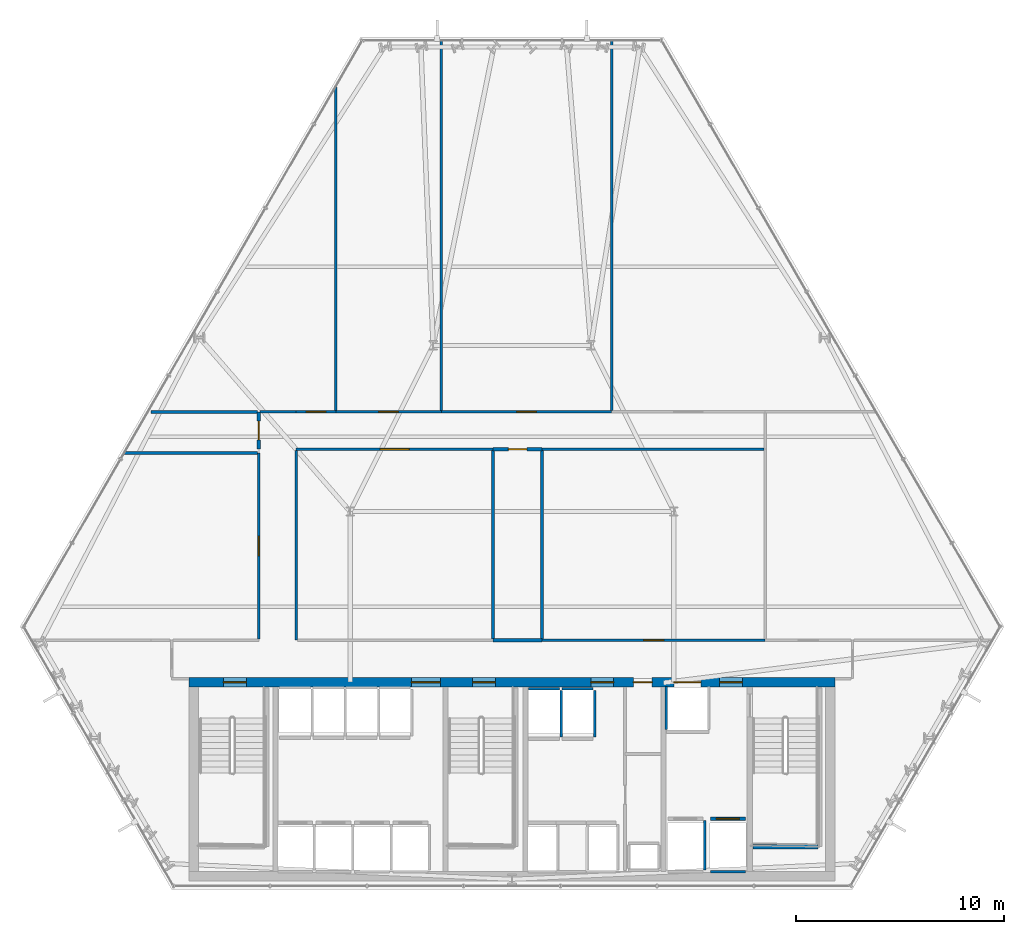
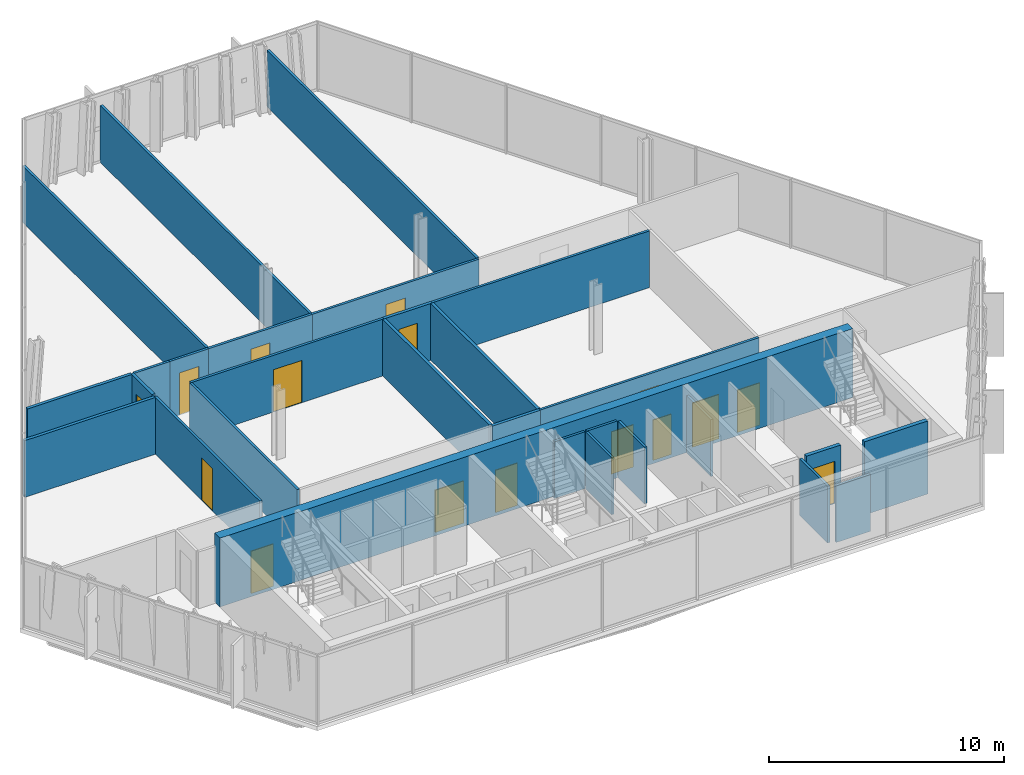
# One storey, part 28 of 33: 29 walls, 16 doors, 16 openings.
"""IFC4 building model written with IfcOpenShell, lengths in metres."""

from ifc_helpers import new_model, si_unit, direction, frame, frame_2d, origin, place, context, subcontext, project, spatial, rectangle, extrude, material, layer, layer_set, type_object, element, fill, save


model = new_model("IFC4")

# Units and contexts
model_context = context("Model", 3, precision=1e-05, world=origin(), true_north=direction((0.0, 1.0)))
body_context = subcontext(model_context, "Body", "Model", "MODEL_VIEW")
ifc_project = project(units=[si_unit("LENGTHUNIT", "METRE"), si_unit("AREAUNIT", "SQUARE_METRE"), si_unit("VOLUMEUNIT", "CUBIC_METRE"), si_unit("PLANEANGLEUNIT", "RADIAN"), si_unit("MASSUNIT", "GRAM", prefix="KILO")], contexts=[model_context])

# Site, building, storey
site_placement = place(None, origin())
site = spatial("IfcSite", under=ifc_project, at=site_placement, CompositionType="ELEMENT")
building_placement = place(site_placement, origin())
building = spatial("IfcBuilding", under=site, at=building_placement, Name="Ndaravel Arena Tower", CompositionType="ELEMENT")
storey_placement = place(building_placement, frame((0.0, 0.0, 89.199951171875)))
storey = spatial("IfcBuildingStorey", under=building, at=storey_placement, Name="L20", CompositionType="ELEMENT", Elevation=89.199951171875)

# Wall, openings, doors
ifc_material_1 = material(Name="Concrete C60/75", Category="concrete")
ifc_layer_1 = layer(ifc_material_1, 0.449951171875)
ifc_layer_set_1 = layer_set([ifc_layer_1], Name="Concrete C60/75")
wall_type_1 = type_object("IfcWallType", Name="WALL-CORE-450", PredefinedType="SOLIDWALL", material=ifc_layer_set_1)
wall_1_placement = place(storey_placement, frame((26.449951171875, 14.97509765625, 0.0), z_axis=(0.0, 0.0, 1.0), x_axis=(1.0, 0.0, 0.0)))
wall_1 = element("IfcWall", 1, at=wall_1_placement, inside=storey, type_object=wall_type_1, Name="L20 Core North Shear Wall", PredefinedType="SOLIDWALL", context=body_context, shape_type="SweptSolid", body=[
    extrude(rectangle(XDim=31.10009765625, YDim=0.449951171875, at=frame_2d((15.550048828125, 0.0))), origin(), (0.0, 0.0, 1.0), 3.580078125),
])
opening_1_placement = place(wall_1_placement, frame((1.64990234375, 0.0, 0.0)))
opening_1 = element("IfcOpeningElement", 2, at=opening_1_placement, cuts=wall_1, Name="Opening FD-01", PredefinedType="OPENING", context=body_context, shape_type="SweptSolid", body=[
    extrude(rectangle(XDim=1.10009765625, YDim=2.199951171875, at=frame_2d((0.550048828125, 1.10009765625))), frame((0.0, 0.22509765625, 0.0), z_axis=(0.0, -1.0, 0.0), x_axis=(1.0, 0.0, 0.0)), (0.0, 0.0, 1.0), 0.449951171875),
])
opening_2_placement = place(wall_1_placement, frame((13.64990234375, 0.0, 0.0)))
opening_2 = element("IfcOpeningElement", 3, at=opening_2_placement, cuts=wall_1, Name="Opening FD-01", PredefinedType="OPENING", context=body_context, shape_type="SweptSolid", body=[
    extrude(rectangle(XDim=1.10009765625, YDim=2.199951171875, at=frame_2d((0.550048828125, 1.10009765625))), frame((0.0, 0.22509765625, 0.0), z_axis=(0.0, -1.0, 0.0), x_axis=(1.0, 0.0, 0.0)), (0.0, 0.0, 1.0), 0.449951171875),
])
opening_3_placement = place(wall_1_placement, frame((25.550048828125, 0.0, 0.0)))
opening_3 = element("IfcOpeningElement", 4, at=opening_3_placement, cuts=wall_1, Name="Opening FD-01", PredefinedType="OPENING", context=body_context, shape_type="SweptSolid", body=[
    extrude(rectangle(XDim=1.10009765625, YDim=2.199951171875, at=frame_2d((0.550048828125, 1.10009765625))), frame((0.0, 0.22509765625, 0.0), z_axis=(0.0, -1.0, 0.0), x_axis=(1.0, 0.0, 0.0)), (0.0, 0.0, 1.0), 0.449951171875),
])
opening_4_placement = place(wall_1_placement, frame((10.699951171875, 0.0, 0.0)))
opening_4 = element("IfcOpeningElement", 5, at=opening_4_placement, cuts=wall_1, Name="Opening ID-02", PredefinedType="OPENING", context=body_context, shape_type="SweptSolid", body=[
    extrude(rectangle(XDim=1.39990234375, YDim=2.199951171875, at=frame_2d((0.699951171875, 1.10009765625))), frame((0.0, 0.22509765625, 0.0), z_axis=(0.0, -1.0, 0.0), x_axis=(1.0, 0.0, 0.0)), (0.0, 0.0, 1.0), 0.449951171875),
])
opening_5_placement = place(wall_1_placement, frame((19.35009765625, 0.0, 0.0)))
opening_5 = element("IfcOpeningElement", 6, at=opening_5_placement, cuts=wall_1, Name="Opening FD-01", PredefinedType="OPENING", context=body_context, shape_type="SweptSolid", body=[
    extrude(rectangle(XDim=1.10009765625, YDim=2.199951171875, at=frame_2d((0.550048828125, 1.10009765625))), frame((0.0, 0.22509765625, 0.0), z_axis=(0.0, -1.0, 0.0), x_axis=(1.0, 0.0, 0.0)), (0.0, 0.0, 1.0), 0.449951171875),
])
opening_6_placement = place(wall_1_placement, frame((21.39990234375, 0.0, 0.0)))
opening_6 = element("IfcOpeningElement", 7, at=opening_6_placement, cuts=wall_1, Name="Opening RD-01", PredefinedType="OPENING", context=body_context, shape_type="SweptSolid", body=[
    extrude(rectangle(XDim=0.89990234375, YDim=2.10009765625, at=frame_2d((0.449951171875, 1.050048828125))), frame((0.0, 0.22509765625, 0.0), z_axis=(0.0, -1.0, 0.0), x_axis=(1.0, 0.0, 0.0)), (0.0, 0.0, 1.0), 0.449951171875),
])
opening_7_placement = place(wall_1_placement, frame((23.35009765625, 0.0, 0.0)))
opening_7 = element("IfcOpeningElement", 8, at=opening_7_placement, cuts=wall_1, Name="Opening LD-02", PredefinedType="OPENING", context=body_context, shape_type="SweptSolid", body=[
    extrude(rectangle(XDim=1.300048828125, YDim=2.300048828125, at=frame_2d((0.64990234375, 1.14990234375))), frame((0.0, 0.22509765625, 0.0), z_axis=(0.0, -1.0, 0.0), x_axis=(1.0, 0.0, 0.0)), (0.0, 0.0, 1.0), 0.449951171875),
])
ifc_material_2 = material(Name="Steel S355", Category="steel")
door_type_1 = type_object("IfcDoorType", Name="DT-01-STAIR-1100", OperationType="SINGLE_SWING_LEFT", PredefinedType="DOOR", material=ifc_material_2)
door_1_placement = place(opening_1_placement, origin())
door_1 = element("IfcDoor", 9, at=door_1_placement, inside=storey, type_object=door_type_1, Name="L20 Exit Stair ST-1 Door", OperationType="SINGLE_SWING_LEFT", OverallHeight=2.199951171875, OverallWidth=1.10009765625, PredefinedType="DOOR", context=body_context, shape_type="SweptSolid", body=[
    extrude(rectangle(XDim=1.10009765625, YDim=2.199951171875, at=frame_2d((0.550048828125, 1.10009765625))), frame((0.0, 0.02490234375, 0.0), z_axis=(0.0, -1.0, 0.0), x_axis=(1.0, 0.0, 0.0)), (0.0, 0.0, 1.0), 0.050048828125),
])
fill(opening_1, door_1)
door_2_placement = place(opening_2_placement, origin())
door_2 = element("IfcDoor", 10, at=door_2_placement, inside=storey, type_object=door_type_1, Name="L20 Exit Stair ST-2 Door", OperationType="SINGLE_SWING_RIGHT", OverallHeight=2.199951171875, OverallWidth=1.10009765625, PredefinedType="DOOR", context=body_context, shape_type="SweptSolid", body=[
    extrude(rectangle(XDim=1.10009765625, YDim=2.199951171875, at=frame_2d((0.550048828125, 1.10009765625))), frame((0.0, 0.02490234375, 0.0), z_axis=(0.0, -1.0, 0.0), x_axis=(1.0, 0.0, 0.0)), (0.0, 0.0, 1.0), 0.050048828125),
])
fill(opening_2, door_2)
door_3_placement = place(opening_3_placement, origin())
door_3 = element("IfcDoor", 11, at=door_3_placement, inside=storey, type_object=door_type_1, Name="L20 Firefighting Lift Lobby Door", OperationType="SINGLE_SWING_RIGHT", OverallHeight=2.199951171875, OverallWidth=1.10009765625, PredefinedType="DOOR", context=body_context, shape_type="SweptSolid", body=[
    extrude(rectangle(XDim=1.10009765625, YDim=2.199951171875, at=frame_2d((0.550048828125, 1.10009765625))), frame((0.0, 0.02490234375, 0.0), z_axis=(0.0, -1.0, 0.0), x_axis=(1.0, 0.0, 0.0)), (0.0, 0.0, 1.0), 0.050048828125),
])
fill(opening_3, door_3)
door_4_placement = place(opening_5_placement, origin())
door_4 = element("IfcDoor", 12, at=door_4_placement, inside=storey, type_object=door_type_1, Name="L20 Express Lift Lobby Entry Door", OperationType="SINGLE_SWING_LEFT", OverallHeight=2.199951171875, OverallWidth=1.10009765625, PredefinedType="DOOR", context=body_context, shape_type="SweptSolid", body=[
    extrude(rectangle(XDim=1.10009765625, YDim=2.199951171875, at=frame_2d((0.550048828125, 1.10009765625))), frame((0.0, 0.02490234375, 0.0), z_axis=(0.0, -1.0, 0.0), x_axis=(1.0, 0.0, 0.0)), (0.0, 0.0, 1.0), 0.050048828125),
])
fill(opening_5, door_4)
ifc_material_3 = material(Name="Timber", Category="wood")
door_type_2 = type_object("IfcDoorType", Name="DT-04-SUITE-1400", OperationType="DOUBLE_DOOR_SINGLE_SWING", PredefinedType="DOOR", material=ifc_material_3)
door_5_placement = place(opening_4_placement, origin())
door_5 = element("IfcDoor", 13, at=door_5_placement, inside=storey, type_object=door_type_2, Name="L20 West Lift Lobby Entry Door", OperationType="DOUBLE_DOOR_SINGLE_SWING", OverallHeight=2.199951171875, OverallWidth=1.39990234375, PredefinedType="DOOR", context=body_context, shape_type="SweptSolid", body=[
    extrude(rectangle(XDim=1.39990234375, YDim=2.199951171875, at=frame_2d((0.699951171875, 1.10009765625))), frame((0.0, 0.02490234375, 0.0), z_axis=(0.0, -1.0, 0.0), x_axis=(1.0, 0.0, 0.0)), (0.0, 0.0, 1.0), 0.050048828125),
])
fill(opening_4, door_5)
ifc_material_4 = material(Name="Steel S355", Category="steel")
door_type_3 = type_object("IfcDoorType", Name="DT-07-SVLIFT-1300", OperationType="DOUBLE_DOOR_SLIDING", PredefinedType="DOOR", material=ifc_material_4)
door_6_placement = place(opening_7_placement, origin())
door_6 = element("IfcDoor", 14, at=door_6_placement, inside=storey, type_object=door_type_3, Name="L20 Lift SVL-1 Sliding Landing Door", OperationType="DOUBLE_DOOR_SLIDING", OverallHeight=2.300048828125, OverallWidth=1.300048828125, PredefinedType="DOOR", context=body_context, shape_type="SweptSolid", body=[
    extrude(rectangle(XDim=1.300048828125, YDim=2.300048828125, at=frame_2d((0.64990234375, 1.14990234375))), frame((0.0, 0.02490234375, 0.0), z_axis=(0.0, -1.0, 0.0), x_axis=(1.0, 0.0, 0.0)), (0.0, 0.0, 1.0), 0.050048828125),
])
fill(opening_7, door_6)
ifc_material_5 = material(Name="Steel S355", Category="steel")
door_type_4 = type_object("IfcDoorType", Name="DT-08-RISER-900", OperationType="SINGLE_SWING_LEFT", PredefinedType="DOOR", material=ifc_material_5)
door_7_placement = place(opening_6_placement, origin())
door_7 = element("IfcDoor", 15, at=door_7_placement, inside=storey, type_object=door_type_4, Name="L20 Core Service Riser North Door", OperationType="SINGLE_SWING_LEFT", OverallHeight=2.10009765625, OverallWidth=0.89990234375, PredefinedType="DOOR", context=body_context, shape_type="SweptSolid", body=[
    extrude(rectangle(XDim=0.89990234375, YDim=2.10009765625, at=frame_2d((0.449951171875, 1.050048828125))), frame((0.0, 0.02490234375, 0.0), z_axis=(0.0, -1.0, 0.0), x_axis=(1.0, 0.0, 0.0)), (0.0, 0.0, 1.0), 0.050048828125),
])
fill(opening_6, door_7)

# Wall, opening, door
ifc_material_6 = material(Name="Gypsum", Category="gypsum")
ifc_layer_2 = layer(ifc_material_6, 0.125)
ifc_layer_set_2 = layer_set([ifc_layer_2], Name="Gypsum")
wall_type_2 = type_object("IfcWallType", Name="WALL-PART-125", PredefinedType="PARTITIONING", material=ifc_layer_set_2)
wall_2_placement = place(storey_placement, frame((29.800048828125, 17.06494140625, 0.0), z_axis=(0.0, 0.0, 1.0), x_axis=(0.0, 1.0, 0.0)))
wall_2 = element("IfcWall", 16, at=wall_2_placement, inside=storey, type_object=wall_type_2, Name="L20 Interior Partition 006", PredefinedType="PARTITIONING", context=body_context, shape_type="SweptSolid", body=[
    extrude(rectangle(XDim=8.955078125, YDim=0.125, at=frame_2d((4.4775390625, 0.0))), origin(), (0.0, 0.0, 1.0), 2.949951171875),
])
opening_8_placement = place(wall_2_placement, frame((4.00244140625, 0.0, 0.0)))
opening_8 = element("IfcOpeningElement", 17, at=opening_8_placement, cuts=wall_2, Name="Opening ID-01", PredefinedType="OPENING", context=body_context, shape_type="SweptSolid", body=[
    extrude(rectangle(XDim=0.949951171875, YDim=2.199951171875, at=frame_2d((0.47509765625, 1.10009765625))), frame((0.0, 0.0625, 0.0), z_axis=(0.0, -1.0, 0.0), x_axis=(1.0, 0.0, 0.0)), (0.0, 0.0, 1.0), 0.125),
])
ifc_material_7 = material(Name="Timber", Category="wood")
door_type_5 = type_object("IfcDoorType", Name="DT-03-OFFICE-950", OperationType="SINGLE_SWING_LEFT", PredefinedType="DOOR", material=ifc_material_7)
door_8_placement = place(opening_8_placement, origin())
door_8 = element("IfcDoor", 18, at=door_8_placement, inside=storey, type_object=door_type_5, Name="L20 Design Bookshop Boutique Door", OperationType="SINGLE_SWING_LEFT", OverallHeight=2.199951171875, OverallWidth=0.949951171875, PredefinedType="DOOR", context=body_context, shape_type="SweptSolid", body=[
    extrude(rectangle(XDim=0.949951171875, YDim=2.199951171875, at=frame_2d((0.47509765625, 1.10009765625))), frame((0.0, 0.02490234375, 0.0), z_axis=(0.0, -1.0, 0.0), x_axis=(1.0, 0.0, 0.0)), (0.0, 0.0, 1.0), 0.050048828125),
])
fill(opening_8, door_8)

# Wall
wall_3_placement = place(storey_placement, frame((29.864990234375, 28.0, 0.0), z_axis=(0.0, 0.0, 1.0), x_axis=(1.0, 0.0, 0.0)))
element("IfcWall", 19, at=wall_3_placement, inside=storey, type_object=wall_type_2, Name="L20 Interior Partition 008", PredefinedType="PARTITIONING", context=body_context, shape_type="SweptSolid", body=[
    extrude(rectangle(XDim=1.735107421875, YDim=0.125, at=frame_2d((0.86767578125, 0.0))), origin(), (0.0, 0.0, 1.0), 2.949951171875),
])

# Wall, opening, door
wall_4_placement = place(storey_placement, frame((31.60009765625, 28.0, 0.0), z_axis=(0.0, 0.0, 1.0), x_axis=(1.0, 0.0, 0.0)))
wall_4 = element("IfcWall", 20, at=wall_4_placement, inside=storey, type_object=wall_type_2, Name="L20 Interior Partition 009", PredefinedType="PARTITIONING", context=body_context, shape_type="SweptSolid", body=[
    extrude(rectangle(XDim=1.90869140625, YDim=0.125, at=frame_2d((0.954345703125, 0.0))), origin(), (0.0, 0.0, 1.0), 2.949951171875),
])
opening_9_placement = place(wall_4_placement, frame((0.4794921875, 0.0, 0.0)))
opening_9 = element("IfcOpeningElement", 21, at=opening_9_placement, cuts=wall_4, Name="Opening ID-01", PredefinedType="OPENING", context=body_context, shape_type="SweptSolid", body=[
    extrude(rectangle(XDim=0.949951171875, YDim=2.199951171875, at=frame_2d((0.47509765625, 1.10009765625))), frame((0.0, 0.0625, 0.0), z_axis=(0.0, -1.0, 0.0), x_axis=(1.0, 0.0, 0.0)), (0.0, 0.0, 1.0), 0.125),
])
door_9_placement = place(opening_9_placement, origin())
door_9 = element("IfcDoor", 22, at=door_9_placement, inside=storey, type_object=door_type_5, Name="L20 Concierge Arrival Salon 2 Door", OperationType="SINGLE_SWING_LEFT", OverallHeight=2.199951171875, OverallWidth=0.949951171875, PredefinedType="DOOR", context=body_context, shape_type="SweptSolid", body=[
    extrude(rectangle(XDim=0.949951171875, YDim=2.199951171875, at=frame_2d((0.47509765625, 1.10009765625))), frame((0.0, 0.02490234375, 0.0), z_axis=(0.0, -1.0, 0.0), x_axis=(1.0, 0.0, 0.0)), (0.0, 0.0, 1.0), 0.050048828125),
])
fill(opening_9, door_9)

wall_5_placement = place(storey_placement, frame((33.5087890625, 28.0, 0.0), z_axis=(0.0, 0.0, 1.0), x_axis=(1.0, 0.0, 0.0)))
wall_5 = element("IfcWall", 23, at=wall_5_placement, inside=storey, type_object=wall_type_2, Name="L20 Interior Partition 010", PredefinedType="PARTITIONING", context=body_context, shape_type="SweptSolid", body=[
    extrude(rectangle(XDim=5.09130859375, YDim=0.125, at=frame_2d((2.545654296875, 0.0))), origin(), (0.0, 0.0, 1.0), 2.949951171875),
])
opening_10_placement = place(wall_5_placement, frame((2.070556640625, 0.0, 0.0)))
opening_10 = element("IfcOpeningElement", 24, at=opening_10_placement, cuts=wall_5, Name="Opening ID-01", PredefinedType="OPENING", context=body_context, shape_type="SweptSolid", body=[
    extrude(rectangle(XDim=0.949951171875, YDim=2.199951171875, at=frame_2d((0.47509765625, 1.10009765625))), frame((0.0, 0.0625, 0.0), z_axis=(0.0, -1.0, 0.0), x_axis=(1.0, 0.0, 0.0)), (0.0, 0.0, 1.0), 0.125),
])
door_10_placement = place(opening_10_placement, origin())
door_10 = element("IfcDoor", 25, at=door_10_placement, inside=storey, type_object=door_type_5, Name="L20 Executive Corner Office 4 Door", OperationType="SINGLE_SWING_LEFT", OverallHeight=2.199951171875, OverallWidth=0.949951171875, PredefinedType="DOOR", context=body_context, shape_type="SweptSolid", body=[
    extrude(rectangle(XDim=0.949951171875, YDim=2.199951171875, at=frame_2d((0.47509765625, 1.10009765625))), frame((0.0, 0.02490234375, 0.0), z_axis=(0.0, -1.0, 0.0), x_axis=(1.0, 0.0, 0.0)), (0.0, 0.0, 1.0), 0.050048828125),
])
fill(opening_10, door_10)

wall_6_placement = place(storey_placement, frame((38.60009765625, 28.0, 0.0), z_axis=(0.0, 0.0, 1.0), x_axis=(1.0, 0.0, 0.0)))
wall_6 = element("IfcWall", 26, at=wall_6_placement, inside=storey, type_object=wall_type_2, Name="L20 Interior Partition 011", PredefinedType="PARTITIONING", context=body_context, shape_type="SweptSolid", body=[
    extrude(rectangle(XDim=8.199951171875, YDim=0.125, at=frame_2d((4.10009765625, 0.0))), origin(), (0.0, 0.0, 1.0), 2.949951171875),
])
opening_11_placement = place(wall_6_placement, frame((3.625, 0.0, 0.0)))
opening_11 = element("IfcOpeningElement", 27, at=opening_11_placement, cuts=wall_6, Name="Opening ID-01", PredefinedType="OPENING", context=body_context, shape_type="SweptSolid", body=[
    extrude(rectangle(XDim=0.949951171875, YDim=2.199951171875, at=frame_2d((0.47509765625, 1.10009765625))), frame((0.0, 0.0625, 0.0), z_axis=(0.0, -1.0, 0.0), x_axis=(1.0, 0.0, 0.0)), (0.0, 0.0, 1.0), 0.125),
])
door_11_placement = place(opening_11_placement, origin())
door_11 = element("IfcDoor", 28, at=door_11_placement, inside=storey, type_object=door_type_5, Name="L20 Client Concierge Parlour 4 Door", OperationType="SINGLE_SWING_RIGHT", OverallHeight=2.199951171875, OverallWidth=0.949951171875, PredefinedType="DOOR", context=body_context, shape_type="SweptSolid", body=[
    extrude(rectangle(XDim=0.949951171875, YDim=2.199951171875, at=frame_2d((0.47509765625, 1.10009765625))), frame((0.0, 0.02490234375, 0.0), z_axis=(0.0, -1.0, 0.0), x_axis=(1.0, 0.0, 0.0)), (0.0, 0.0, 1.0), 0.050048828125),
])
fill(opening_11, door_11)

# Wall
wall_7_placement = place(storey_placement, frame((54.135009765625, 26.199951171875, 0.0), z_axis=(0.0, 0.0, 1.0), x_axis=(-1.0, 0.0, 0.0)))
element("IfcWall", 29, at=wall_7_placement, inside=storey, type_object=wall_type_2, Name="L20 Interior Partition 014", PredefinedType="PARTITIONING", context=body_context, shape_type="SweptSolid", body=[
    extrude(rectangle(XDim=10.68359375, YDim=0.125, at=frame_2d((5.341796875, 0.0))), origin(), (0.0, 0.0, 1.0), 2.949951171875),
])

# Wall, opening, door
wall_8_placement = place(storey_placement, frame((41.092041015625, 26.199951171875, 0.0), z_axis=(0.0, 0.0, 1.0), x_axis=(-1.0, 0.0, 0.0)))
wall_8 = element("IfcWall", 30, at=wall_8_placement, inside=storey, type_object=wall_type_2, Name="L20 Interior Partition 016", PredefinedType="PARTITIONING", context=body_context, shape_type="SweptSolid", body=[
    extrude(rectangle(XDim=9.491943359375, YDim=0.125, at=frame_2d((4.74609375, 0.0))), origin(), (0.0, 0.0, 1.0), 2.949951171875),
])
opening_12_placement = place(wall_8_placement, frame((4.0458984375, 0.0, 0.0)))
opening_12 = element("IfcOpeningElement", 31, at=opening_12_placement, cuts=wall_8, Name="Opening ID-02", PredefinedType="OPENING", context=body_context, shape_type="SweptSolid", body=[
    extrude(rectangle(XDim=1.39990234375, YDim=2.199951171875, at=frame_2d((0.699951171875, 1.10009765625))), frame((0.0, 0.0625, 0.0), z_axis=(0.0, -1.0, 0.0), x_axis=(1.0, 0.0, 0.0)), (0.0, 0.0, 1.0), 0.125),
])
door_12_placement = place(opening_12_placement, origin())
door_12 = element("IfcDoor", 32, at=door_12_placement, inside=storey, type_object=door_type_2, Name="L20 Collaborative Lounge Door", OperationType="SINGLE_SWING_RIGHT", OverallHeight=2.199951171875, OverallWidth=1.39990234375, PredefinedType="DOOR", context=body_context, shape_type="SweptSolid", body=[
    extrude(rectangle(XDim=1.39990234375, YDim=2.199951171875, at=frame_2d((0.699951171875, 1.10009765625))), frame((0.0, 0.02490234375, 0.0), z_axis=(0.0, -1.0, 0.0), x_axis=(1.0, 0.0, 0.0)), (0.0, 0.0, 1.0), 0.050048828125),
])
fill(opening_12, door_12)

# Wall
wall_9_placement = place(storey_placement, frame((31.60009765625, 26.135009765625, 0.0), z_axis=(0.0, 0.0, 1.0), x_axis=(0.0, -1.0, 0.0)))
element("IfcWall", 33, at=wall_9_placement, inside=storey, type_object=wall_type_2, Name="L20 Interior Partition 017", PredefinedType="PARTITIONING", context=body_context, shape_type="SweptSolid", body=[
    extrude(rectangle(XDim=9.135009765625, YDim=0.125, at=frame_2d((4.5673828125, 0.0))), origin(), (0.0, 0.0, 1.0), 2.949951171875),
])

# Wall, opening, door
wall_10_placement = place(storey_placement, frame((43.451416015625, 17.0, 0.0), z_axis=(0.0, 0.0, 1.0), x_axis=(1.0, 0.0, 0.0)))
wall_10 = element("IfcWall", 34, at=wall_10_placement, inside=storey, type_object=wall_type_2, Name="L20 Interior Partition 020", PredefinedType="PARTITIONING", context=body_context, shape_type="SweptSolid", body=[
    extrude(rectangle(XDim=10.74853515625, YDim=0.125, at=frame_2d((5.374267578125, 0.0))), origin(), (0.0, 0.0, 1.0), 2.949951171875),
])
opening_13_placement = place(wall_10_placement, frame((4.8994140625, 0.0, 0.0)))
opening_13 = element("IfcOpeningElement", 35, at=opening_13_placement, cuts=wall_10, Name="Opening ID-01", PredefinedType="OPENING", context=body_context, shape_type="SweptSolid", body=[
    extrude(rectangle(XDim=0.949951171875, YDim=2.199951171875, at=frame_2d((0.47509765625, 1.10009765625))), frame((0.0, 0.0625, 0.0), z_axis=(0.0, -1.0, 0.0), x_axis=(1.0, 0.0, 0.0)), (0.0, 0.0, 1.0), 0.125),
])
door_13_placement = place(opening_13_placement, origin())
door_13 = element("IfcDoor", 36, at=door_13_placement, inside=storey, type_object=door_type_5, Name="L20 Cellular Partner Office 2 Door", OperationType="SINGLE_SWING_RIGHT", OverallHeight=2.199951171875, OverallWidth=0.949951171875, PredefinedType="DOOR", context=body_context, shape_type="SweptSolid", body=[
    extrude(rectangle(XDim=0.949951171875, YDim=2.199951171875, at=frame_2d((0.47509765625, 1.10009765625))), frame((0.0, 0.02490234375, 0.0), z_axis=(0.0, -1.0, 0.0), x_axis=(1.0, 0.0, 0.0)), (0.0, 0.0, 1.0), 0.050048828125),
])
fill(opening_13, door_13)

# Walls
wall_11_placement = place(storey_placement, frame((33.5087890625, 43.6767578125, 0.0), z_axis=(0.0, 0.0, 1.0), x_axis=(0.0, -1.0, 0.0)))
element("IfcWall", 37, at=wall_11_placement, inside=storey, type_object=wall_type_2, Name="L20 Interior Partition 031", PredefinedType="PARTITIONING", context=body_context, shape_type="SweptSolid", body=[
    extrude(rectangle(XDim=15.61181640625, YDim=0.125, at=frame_2d((7.805908203125, 0.0))), origin(), (0.0, 0.0, 1.0), 2.949951171875),
])
for number, where, z_axis, x_axis, name in (
    (38, (46.800048828125, 28.06494140625, 0.0), (0.0, 0.0, 1.0), (0.0, 1.0, 0.0), "L20 Interior Partition 032"),
    (39, (38.60009765625, 45.89599609375, 0.0), (0.0, 0.0, 1.0), (0.0, -1.0, 0.0), "L20 Interior Partition 033"),
):
    element("IfcWall", number, at=place(storey_placement, frame(where, z_axis=z_axis, x_axis=x_axis)), inside=storey, type_object=wall_type_2, Name=name, PredefinedType="PARTITIONING", context=body_context, shape_type="SweptSolid", body=[
        extrude(rectangle(XDim=17.8310546875, YDim=0.125, at=frame_2d((8.91552734375, 0.0))), origin(), (0.0, 0.0, 1.0), 2.949951171875),
    ])
ifc_material_8 = material(Name="Concrete C40/50", Category="concrete")
ifc_layer_3 = layer(ifc_material_8, 0.1201171875)
ifc_layer_set_3 = layer_set([ifc_layer_3], Name="Concrete C40/50")
wall_type_3 = type_object("IfcWallType", Name="WALL-SHAFT-120", PredefinedType="SOLIDWALL", material=ifc_layer_set_3)
wall_12_placement = place(storey_placement, frame((42.804931640625, 14.659912109375, 0.0), z_axis=(0.0, 0.0, 1.0), x_axis=(1.0, 0.0, 0.0)))
element("IfcWall", 40, at=wall_12_placement, inside=storey, type_object=wall_type_3, Name="L20 PL-OBS1 Shaft Rear Wall", PredefinedType="SOLIDWALL", context=body_context, shape_type="SweptSolid", body=[
    extrude(rectangle(XDim=1.489990234375, YDim=0.1201171875, at=frame_2d((0.7451171875, 0.0))), origin(), (0.0, 0.0, 1.0), 2.949951171875),
])
wall_13_placement = place(storey_placement, frame((44.375, 12.340087890625, 0.0), z_axis=(0.0, 0.0, 1.0), x_axis=(0.0, 1.0, 0.0)))
element("IfcWall", 41, at=wall_13_placement, inside=storey, type_object=wall_type_3, Name="L20 PL-OBS1 Shaft Side R Wall", PredefinedType="SOLIDWALL", context=body_context, shape_type="SweptSolid", body=[
    extrude(rectangle(XDim=2.22998046875, YDim=0.1201171875, at=frame_2d((1.114990234375, 0.0))), origin(), (0.0, 0.0, 1.0), 2.949951171875),
])
wall_14_placement = place(storey_placement, frame((44.405029296875, 14.659912109375, 0.0), z_axis=(0.0, 0.0, 1.0), x_axis=(1.0, 0.0, 0.0)))
element("IfcWall", 42, at=wall_14_placement, inside=storey, type_object=wall_type_3, Name="L20 PL-OBS2 Shaft Rear Wall", PredefinedType="SOLIDWALL", context=body_context, shape_type="SweptSolid", body=[
    extrude(rectangle(XDim=1.489990234375, YDim=0.1201171875, at=frame_2d((0.7451171875, 0.0))), origin(), (0.0, 0.0, 1.0), 2.949951171875),
])
wall_15_placement = place(storey_placement, frame((45.97509765625, 12.340087890625, 0.0), z_axis=(0.0, 0.0, 1.0), x_axis=(0.0, 1.0, 0.0)))
element("IfcWall", 43, at=wall_15_placement, inside=storey, type_object=wall_type_3, Name="L20 PL-OBS2 Shaft Side R Wall", PredefinedType="SOLIDWALL", context=body_context, shape_type="SweptSolid", body=[
    extrude(rectangle(XDim=2.22998046875, YDim=0.1201171875, at=frame_2d((1.114990234375, 0.0))), origin(), (0.0, 0.0, 1.0), 2.949951171875),
])
wall_16_placement = place(storey_placement, frame((51.27490234375, 5.929931640625, 0.0), z_axis=(0.0, 0.0, 1.0), x_axis=(0.0, 1.0, 0.0)))
element("IfcWall", 44, at=wall_16_placement, inside=storey, type_object=wall_type_3, Name="L20 FFL-1 Shaft Side R Wall", PredefinedType="SOLIDWALL", context=body_context, shape_type="SweptSolid", body=[
    extrude(rectangle(XDim=2.380126953125, YDim=0.1201171875, at=frame_2d((1.18994140625, 0.0))), origin(), (0.0, 0.0, 1.0), 2.949951171875),
])
wall_17_placement = place(storey_placement, frame((51.554931640625, 5.840087890625, 0.0), z_axis=(0.0, 0.0, 1.0), x_axis=(1.0, 0.0, 0.0)))
element("IfcWall", 45, at=wall_17_placement, inside=storey, type_object=wall_type_3, Name="L20 FFL-2 Shaft Rear Wall", PredefinedType="SOLIDWALL", context=body_context, shape_type="SweptSolid", body=[
    extrude(rectangle(XDim=1.690185546875, YDim=0.1201171875, at=frame_2d((0.84521484375, 0.0))), origin(), (0.0, 0.0, 1.0), 2.949951171875),
])
wall_18_placement = place(storey_placement, frame((49.43994140625, 12.68994140625, 0.0), z_axis=(0.0, 0.0, 1.0), x_axis=(0.0, 1.0, 0.0)))
element("IfcWall", 46, at=wall_18_placement, inside=storey, type_object=wall_type_3, Name="L20 SVL-1 Shaft W Wall", PredefinedType="SOLIDWALL", context=body_context, shape_type="SweptSolid", body=[
    extrude(rectangle(XDim=2.070068359375, YDim=0.1201171875, at=frame_2d((1.03515625, 0.0))), origin(), (0.0, 0.0, 1.0), 2.949951171875),
])
ifc_material_9 = material(Name="Concrete C40/50", Category="concrete")
ifc_layer_4 = layer(ifc_material_9, 0.199951171875)
ifc_layer_set_4 = layer_set([ifc_layer_4], Name="Concrete C40/50")
wall_type_4 = type_object("IfcWallType", Name="WALL-SHAFT-200", PredefinedType="SOLIDWALL", material=ifc_layer_set_4)
wall_19_placement = place(storey_placement, frame((53.6201171875, 7.050048828125, 0.0), z_axis=(0.0, 0.0, 1.0), x_axis=(1.0, 0.0, 0.0)))
element("IfcWall", 47, at=wall_19_placement, inside=storey, type_object=wall_type_4, Name="L20 ST-3 Structural Shaft Wall Far", PredefinedType="SOLIDWALL", context=body_context, shape_type="SweptSolid", body=[
    extrude(rectangle(XDim=3.114990234375, YDim=0.199951171875, at=frame_2d((1.5576171875, 0.0))), origin(), (0.0, 0.0, 1.0), 3.800048828125),
])

# Wall, opening, door
wall_20_placement = place(storey_placement, frame((51.554931640625, 8.39990234375, 0.0), z_axis=(0.0, 0.0, 1.0), x_axis=(1.0, 0.0, 0.0)))
wall_20 = element("IfcWall", 48, at=wall_20_placement, inside=storey, type_object=wall_type_4, Name="L20 FFL-2 Shaft Landing Wall", PredefinedType="SOLIDWALL", context=body_context, shape_type="SweptSolid", body=[
    extrude(rectangle(XDim=1.690185546875, YDim=0.179931640625, at=frame_2d((0.84521484375, 0.0))), origin(), (0.0, 0.0, 1.0), 2.949951171875),
])
opening_14_placement = place(wall_20_placement, frame((0.294921875, 0.0, 0.0)))
opening_14 = element("IfcOpeningElement", 49, at=opening_14_placement, cuts=wall_20, Name="Opening LD-01", PredefinedType="OPENING", context=body_context, shape_type="SweptSolid", body=[
    extrude(rectangle(XDim=1.10009765625, YDim=2.199951171875, at=frame_2d((0.550048828125, 1.10009765625))), frame((0.0, 0.08984375, 0.0), z_axis=(0.0, -1.0, 0.0), x_axis=(1.0, 0.0, 0.0)), (0.0, 0.0, 1.0), 0.179931640625),
])
ifc_material_10 = material(Name="Steel S355", Category="steel")
door_type_6 = type_object("IfcDoorType", Name="DT-06-LIFT-1100", OperationType="SLIDING_TO_LEFT", PredefinedType="DOOR", material=ifc_material_10)
door_14_placement = place(opening_14_placement, origin())
door_14 = element("IfcDoor", 50, at=door_14_placement, inside=storey, type_object=door_type_6, Name="L20 Lift FFL-2 Sliding Landing Door", OperationType="SLIDING_TO_LEFT", OverallHeight=2.199951171875, OverallWidth=1.10009765625, PredefinedType="DOOR", context=body_context, shape_type="SweptSolid", body=[
    extrude(rectangle(XDim=1.10009765625, YDim=2.199951171875, at=frame_2d((0.550048828125, 1.10009765625))), frame((0.0, 0.02490234375, 0.0), z_axis=(0.0, -1.0, 0.0), x_axis=(1.0, 0.0, 0.0)), (0.0, 0.0, 1.0), 0.050048828125),
])
fill(opening_14, door_14)

ifc_material_11 = material(Name="Masonry", Category="masonry")
ifc_layer_5 = layer(ifc_material_11, 0.14990234375)
ifc_layer_set_5 = layer_set([ifc_layer_5], Name="Masonry")
wall_type_5 = type_object("IfcWallType", Name="WALL-WET-150", PredefinedType="PARTITIONING", material=ifc_layer_set_5)
wall_21_placement = place(storey_placement, frame((29.800048828125, 26.199951171875, 0.0), z_axis=(0.0, 0.0, 1.0), x_axis=(0.0, 1.0, 0.0)))
wall_21 = element("IfcWall", 51, at=wall_21_placement, inside=storey, type_object=wall_type_5, Name="L20 Interior Partition 007", PredefinedType="PARTITIONING", context=body_context, shape_type="SweptSolid", body=[
    extrude(rectangle(XDim=1.800048828125, YDim=0.14990234375, at=frame_2d((0.89990234375, 0.0))), origin(), (0.0, 0.0, 1.0), 2.949951171875),
])
opening_15_placement = place(wall_21_placement, frame((0.449951171875, 0.0, 0.0)))
opening_15 = element("IfcOpeningElement", 52, at=opening_15_placement, cuts=wall_21, Name="Opening WD-01", PredefinedType="OPENING", context=body_context, shape_type="SweptSolid", body=[
    extrude(rectangle(XDim=0.89990234375, YDim=2.14990234375, at=frame_2d((0.449951171875, 1.074951171875))), frame((0.0, 0.074951171875, 0.0), z_axis=(0.0, -1.0, 0.0), x_axis=(1.0, 0.0, 0.0)), (0.0, 0.0, 1.0), 0.14990234375),
])
ifc_material_12 = material(Name="Timber", Category="wood")
door_type_7 = type_object("IfcDoorType", Name="DT-05-WC-900", OperationType="SINGLE_SWING_LEFT", PredefinedType="DOOR", material=ifc_material_12)
door_15_placement = place(opening_15_placement, origin())
door_15 = element("IfcDoor", 53, at=door_15_placement, inside=storey, type_object=door_type_7, Name="L20 Female & Accessible Restroom Door", OperationType="SINGLE_SWING_RIGHT", OverallHeight=2.14990234375, OverallWidth=0.89990234375, PredefinedType="DOOR", context=body_context, shape_type="SweptSolid", body=[
    extrude(rectangle(XDim=0.89990234375, YDim=2.14990234375, at=frame_2d((0.449951171875, 1.074951171875))), frame((0.0, 0.02490234375, 0.0), z_axis=(0.0, -1.0, 0.0), x_axis=(1.0, 0.0, 0.0)), (0.0, 0.0, 1.0), 0.050048828125),
])
fill(opening_15, door_15)

wall_22_placement = place(storey_placement, frame((43.451416015625, 26.199951171875, 0.0), z_axis=(0.0, 0.0, 1.0), x_axis=(-1.0, 0.0, 0.0)))
wall_22 = element("IfcWall", 54, at=wall_22_placement, inside=storey, type_object=wall_type_5, Name="L20 Interior Partition 015", PredefinedType="PARTITIONING", context=body_context, shape_type="SweptSolid", body=[
    extrude(rectangle(XDim=2.359375, YDim=0.14990234375, at=frame_2d((1.1796875, 0.0))), origin(), (0.0, 0.0, 1.0), 2.949951171875),
])
opening_16_placement = place(wall_22_placement, frame((0.729736328125, 0.0, 0.0)))
opening_16 = element("IfcOpeningElement", 55, at=opening_16_placement, cuts=wall_22, Name="Opening WD-01", PredefinedType="OPENING", context=body_context, shape_type="SweptSolid", body=[
    extrude(rectangle(XDim=0.89990234375, YDim=2.14990234375, at=frame_2d((0.449951171875, 1.074951171875))), frame((0.0, 0.074951171875, 0.0), z_axis=(0.0, -1.0, 0.0), x_axis=(1.0, 0.0, 0.0)), (0.0, 0.0, 1.0), 0.14990234375),
])
door_16_placement = place(opening_16_placement, origin())
door_16 = element("IfcDoor", 56, at=door_16_placement, inside=storey, type_object=door_type_7, Name="L20 Male Staff & Visitor Restroom Door", OperationType="SINGLE_SWING_LEFT", OverallHeight=2.14990234375, OverallWidth=0.89990234375, PredefinedType="DOOR", context=body_context, shape_type="SweptSolid", body=[
    extrude(rectangle(XDim=0.89990234375, YDim=2.14990234375, at=frame_2d((0.449951171875, 1.074951171875))), frame((0.0, 0.02490234375, 0.0), z_axis=(0.0, -1.0, 0.0), x_axis=(1.0, 0.0, 0.0)), (0.0, 0.0, 1.0), 0.050048828125),
])
fill(opening_16, door_16)

# Walls
wall_23_placement = place(storey_placement, frame((41.092041015625, 17.0, 0.0), z_axis=(0.0, 0.0, 1.0), x_axis=(1.0, 0.0, 0.0)))
element("IfcWall", 57, at=wall_23_placement, inside=storey, type_object=wall_type_5, Name="L20 Interior Partition 019", PredefinedType="PARTITIONING", context=body_context, shape_type="SweptSolid", body=[
    extrude(rectangle(XDim=2.359375, YDim=0.14990234375, at=frame_2d((1.1796875, 0.0))), origin(), (0.0, 0.0, 1.0), 2.949951171875),
])
wall_24_placement = place(storey_placement, frame((23.314697265625, 26.02001953125, 0.0), z_axis=(0.0, 0.0, 1.0), x_axis=(1.0, 0.0, 0.0)))
element("IfcWall", 58, at=wall_24_placement, inside=storey, type_object=wall_type_5, Name="L20 Interior Partition 025", PredefinedType="PARTITIONING", context=body_context, shape_type="SweptSolid", body=[
    extrude(rectangle(XDim=6.42041015625, YDim=0.14990234375, at=frame_2d((3.210205078125, 0.0))), origin(), (0.0, 0.0, 1.0), 2.949951171875),
])
for number, where, z_axis, x_axis, name in (
    (59, (41.092041015625, 26.135009765625, 0.0), (0.0, 0.0, 1.0), (0.0, -1.0, 0.0), "L20 Interior Partition 026"),
    (60, (43.451416015625, 26.135009765625, 0.0), (0.0, 0.0, 1.0), (0.0, -1.0, 0.0), "L20 Interior Partition 027"),
):
    element("IfcWall", number, at=place(storey_placement, frame(where, z_axis=z_axis, x_axis=x_axis)), inside=storey, type_object=wall_type_5, Name=name, PredefinedType="PARTITIONING", context=body_context, shape_type="SweptSolid", body=[
        extrude(rectangle(XDim=9.070068359375, YDim=0.14990234375, at=frame_2d((4.53515625, 0.0))), origin(), (0.0, 0.0, 1.0), 2.949951171875),
    ])
wall_25_placement = place(storey_placement, frame((24.60009765625, 28.0, 0.0), z_axis=(0.0, 0.0, 1.0), x_axis=(1.0, 0.0, 0.0)))
element("IfcWall", 61, at=wall_25_placement, inside=storey, type_object=wall_type_5, Name="L20 Interior Partition 030", PredefinedType="PARTITIONING", context=body_context, shape_type="SweptSolid", body=[
    extrude(rectangle(XDim=5.135009765625, YDim=0.14990234375, at=frame_2d((2.5673828125, 0.0))), origin(), (0.0, 0.0, 1.0), 2.949951171875),
])

save(model, "model.ifc")
